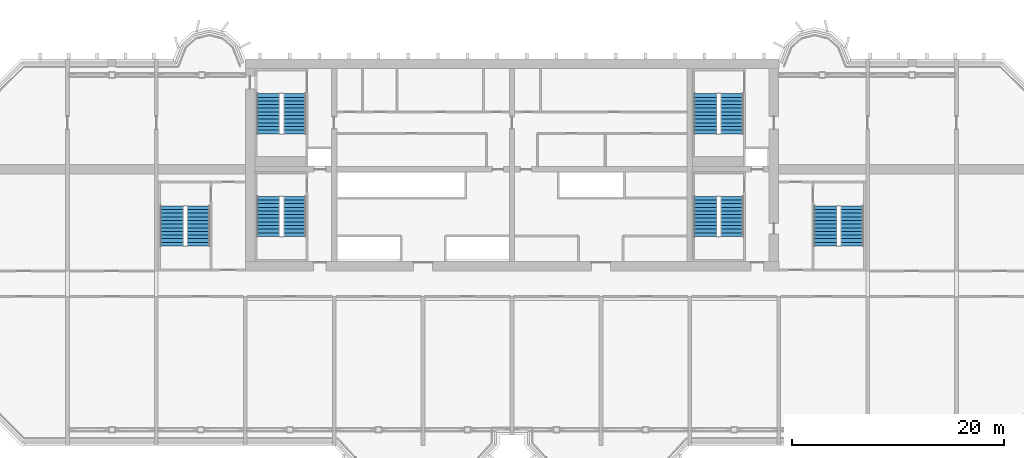
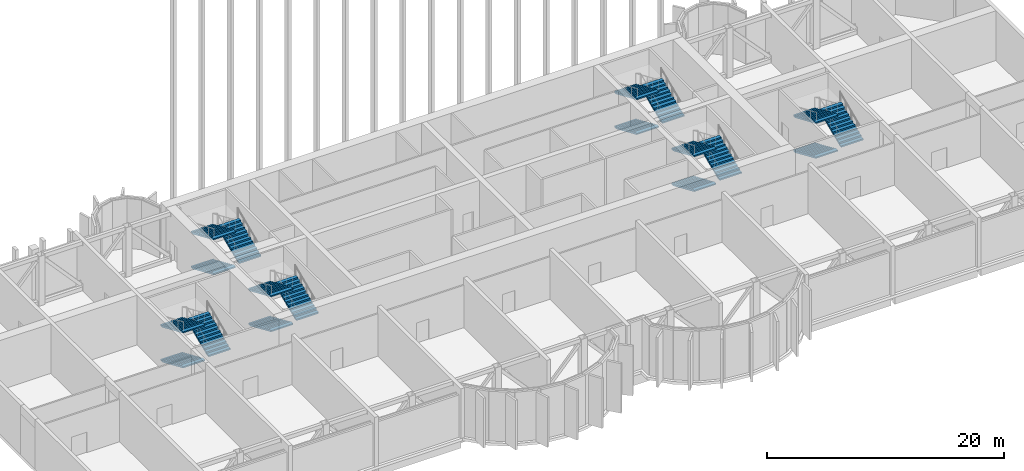
# One storey, part 9 of 17: 18 stair flights, 6 elements without a shape of their own.
"""IFC4 building model written with IfcOpenShell, lengths in metres."""

from ifc_helpers import new_model, si_unit, direction, frame, origin, place, context, subcontext, project, spatial, polyline, outline, extrude, source, transform, mapped, material, type_object, element, aggregate, save


model = new_model("IFC4")

# Units and contexts
model_context = context("Model", 3, precision=1e-05, world=origin(), true_north=direction((0.0, 1.0)))
body_context = subcontext(model_context, "Body", "Model", "MODEL_VIEW")
ifc_project = project(units=[si_unit("LENGTHUNIT", "METRE"), si_unit("AREAUNIT", "SQUARE_METRE"), si_unit("VOLUMEUNIT", "CUBIC_METRE"), si_unit("PLANEANGLEUNIT", "RADIAN"), si_unit("MASSUNIT", "GRAM", prefix="KILO")], contexts=[model_context])

# Site, building, storey
site_placement = place(None, origin())
site = spatial("IfcSite", under=ifc_project, at=site_placement, CompositionType="ELEMENT")
building_placement = place(site_placement, origin())
building = spatial("IfcBuilding", under=site, at=building_placement, Name="Vanashikhar Sky Hotel", CompositionType="ELEMENT")
storey_placement = place(building_placement, frame((0.0, 0.0, 140.800048828125)))
storey = spatial("IfcBuildingStorey", under=building, at=storey_placement, Name="L34", CompositionType="ELEMENT", Elevation=140.800048828125)

# Stair, stair flights
ifc_material = material(Name="Concrete M40", Category="concrete")
stair_type = type_object("IfcStairType", Name="Exit stair 2150", PredefinedType="DOUBLE_RETURN_STAIR", material=ifc_material)
stair_1_placement = place(storey_placement, origin())
stair_1 = element("IfcStair", 1, at=stair_1_placement, inside=storey, type_object=stair_type, Name="L34 Exit stair 1", PredefinedType="DOUBLE_RETURN_STAIR")
stair_flight_type = type_object("IfcStairFlightType", Name="Stair flight 2150", PredefinedType="STRAIGHT", material=ifc_material)
shared_shape = source(origin(), body_context, "Body", "SweptSolid", [
    extrude(outline(polyline([(0.0, 0.0), (0.0, 0.14990234375), (0.345458984375, 0.14990234375), (0.345458984375, 0.300048828125), (0.69091796875, 0.300048828125), (0.69091796875, 0.449951171875), (1.036376953125, 0.449951171875), (1.036376953125, 0.60009765625), (1.3818359375, 0.60009765625), (1.3818359375, 0.75), (1.727294921875, 0.75), (1.727294921875, 0.89990234375), (2.07275390625, 0.89990234375), (2.07275390625, 1.050048828125), (2.418212890625, 1.050048828125), (2.418212890625, 1.199951171875), (2.763671875, 1.199951171875), (2.763671875, 1.35009765625), (3.109130859375, 1.35009765625), (3.109130859375, 1.5), (3.45458984375, 1.5), (3.45458984375, 1.64990234375), (3.800048828125, 1.64990234375), (3.800048828125, 1.800048828125), (3.800048828125, 1.51904296875), (0.301513671875, 0.0), (0.0, 0.0)])), frame((0.0, 1.074951171875, 0.0), z_axis=(0.0, -1.0, 0.0), x_axis=(1.0, 0.0, 0.0)), (0.0, 0.0, 1.0), 2.14990234375),
])
stair_flight_1_placement = place(storey_placement, frame((27.375, 29.050048828125, 0.0), z_axis=(0.0, 0.0, 1.0), x_axis=(0.0, -1.0, 0.0)))
stair_flight_1 = element("IfcStairFlight", 2, at=stair_flight_1_placement, type_object=stair_flight_type, Name="ST-C1 flight 1", NumberOfRisers=12, NumberOfTreads=11, PredefinedType="STRAIGHT", RiserHeight=0.15, TreadLength=0.345454545, context=body_context, shape_type="MappedRepresentation", body=[
    mapped(shared_shape, transform((0.0, 0.0, 0.0), scale=1.0)),
])
stair_flight_2_placement = place(storey_placement, frame((29.875, 25.25, 1.800048828125), z_axis=(0.0, 0.0, 1.0), x_axis=(0.0, 1.0, 0.0)))
stair_flight_2 = element("IfcStairFlight", 3, at=stair_flight_2_placement, type_object=stair_flight_type, Name="ST-C1 flight 2", NumberOfRisers=12, NumberOfTreads=11, PredefinedType="STRAIGHT", RiserHeight=0.15, TreadLength=0.345454545, context=body_context, shape_type="MappedRepresentation", body=[
    mapped(shared_shape, transform((0.0, 0.0, 0.0), scale=1.0)),
])
stair_flight_3_placement = place(storey_placement, frame((27.375, 29.050048828125, 3.599853515625), z_axis=(0.0, 0.0, 1.0), x_axis=(0.0, -1.0, 0.0)))
stair_flight_3 = element("IfcStairFlight", 4, at=stair_flight_3_placement, type_object=stair_flight_type, Name="ST-C1 flight 3", NumberOfRisers=12, NumberOfTreads=11, PredefinedType="STRAIGHT", RiserHeight=0.15, TreadLength=0.345454545, context=body_context, shape_type="MappedRepresentation", body=[
    mapped(shared_shape, transform((0.0, 0.0, 0.0), scale=1.0)),
])
aggregate(stair_1, [stair_flight_1, stair_flight_2, stair_flight_3])

stair_2_placement = place(storey_placement, origin())
stair_2 = element("IfcStair", 5, at=stair_2_placement, inside=storey, type_object=stair_type, Name="L34 Exit stair 2", PredefinedType="DOUBLE_RETURN_STAIR")
stair_flight_4_placement = place(storey_placement, frame((68.675048828125, 29.050048828125, 0.0), z_axis=(0.0, 0.0, 1.0), x_axis=(0.0, -1.0, 0.0)))
stair_flight_4 = element("IfcStairFlight", 6, at=stair_flight_4_placement, type_object=stair_flight_type, Name="ST-C2 flight 1", NumberOfRisers=12, NumberOfTreads=11, PredefinedType="STRAIGHT", RiserHeight=0.15, TreadLength=0.345454545, context=body_context, shape_type="MappedRepresentation", body=[
    mapped(shared_shape, transform((0.0, 0.0, 0.0), scale=1.0)),
])
stair_flight_5_placement = place(storey_placement, frame((71.175048828125, 25.25, 1.800048828125), z_axis=(0.0, 0.0, 1.0), x_axis=(0.0, 1.0, 0.0)))
stair_flight_5 = element("IfcStairFlight", 7, at=stair_flight_5_placement, type_object=stair_flight_type, Name="ST-C2 flight 2", NumberOfRisers=12, NumberOfTreads=11, PredefinedType="STRAIGHT", RiserHeight=0.15, TreadLength=0.345454545, context=body_context, shape_type="MappedRepresentation", body=[
    mapped(shared_shape, transform((0.0, 0.0, 0.0), scale=1.0)),
])
stair_flight_6_placement = place(storey_placement, frame((68.675048828125, 29.050048828125, 3.599853515625), z_axis=(0.0, 0.0, 1.0), x_axis=(0.0, -1.0, 0.0)))
stair_flight_6 = element("IfcStairFlight", 8, at=stair_flight_6_placement, type_object=stair_flight_type, Name="ST-C2 flight 3", NumberOfRisers=12, NumberOfTreads=11, PredefinedType="STRAIGHT", RiserHeight=0.15, TreadLength=0.345454545, context=body_context, shape_type="MappedRepresentation", body=[
    mapped(shared_shape, transform((0.0, 0.0, 0.0), scale=1.0)),
])
aggregate(stair_2, [stair_flight_4, stair_flight_5, stair_flight_6])

stair_3_placement = place(storey_placement, origin())
stair_3 = element("IfcStair", 9, at=stair_3_placement, inside=storey, type_object=stair_type, Name="L34 Exit stair 3", PredefinedType="DOUBLE_RETURN_STAIR")
stair_flight_7_placement = place(storey_placement, frame((18.27490234375, 28.14990234375, 0.0), z_axis=(0.0, 0.0, 1.0), x_axis=(0.0, -1.0, 0.0)))
stair_flight_7 = element("IfcStairFlight", 10, at=stair_flight_7_placement, type_object=stair_flight_type, Name="ST-W flight 1", NumberOfRisers=12, NumberOfTreads=11, PredefinedType="STRAIGHT", RiserHeight=0.15, TreadLength=0.345454545, context=body_context, shape_type="MappedRepresentation", body=[
    mapped(shared_shape, transform((0.0, 0.0, 0.0), scale=1.0)),
])
stair_flight_8_placement = place(storey_placement, frame((20.77490234375, 24.35009765625, 1.800048828125), z_axis=(0.0, 0.0, 1.0), x_axis=(0.0, 1.0, 0.0)))
stair_flight_8 = element("IfcStairFlight", 11, at=stair_flight_8_placement, type_object=stair_flight_type, Name="ST-W flight 2", NumberOfRisers=12, NumberOfTreads=11, PredefinedType="STRAIGHT", RiserHeight=0.15, TreadLength=0.345454545, context=body_context, shape_type="MappedRepresentation", body=[
    mapped(shared_shape, transform((0.0, 0.0, 0.0), scale=1.0)),
])
stair_flight_9_placement = place(storey_placement, frame((18.27490234375, 28.14990234375, 3.599853515625), z_axis=(0.0, 0.0, 1.0), x_axis=(0.0, -1.0, 0.0)))
stair_flight_9 = element("IfcStairFlight", 12, at=stair_flight_9_placement, type_object=stair_flight_type, Name="ST-W flight 3", NumberOfRisers=12, NumberOfTreads=11, PredefinedType="STRAIGHT", RiserHeight=0.15, TreadLength=0.345454545, context=body_context, shape_type="MappedRepresentation", body=[
    mapped(shared_shape, transform((0.0, 0.0, 0.0), scale=1.0)),
])
aggregate(stair_3, [stair_flight_7, stair_flight_8, stair_flight_9])

stair_4_placement = place(storey_placement, origin())
stair_4 = element("IfcStair", 13, at=stair_4_placement, inside=storey, type_object=stair_type, Name="L34 Exit stair 4", PredefinedType="DOUBLE_RETURN_STAIR")
stair_flight_10_placement = place(storey_placement, frame((80.02490234375, 28.14990234375, 0.0), z_axis=(0.0, 0.0, 1.0), x_axis=(0.0, -1.0, 0.0)))
stair_flight_10 = element("IfcStairFlight", 14, at=stair_flight_10_placement, type_object=stair_flight_type, Name="ST-E flight 1", NumberOfRisers=12, NumberOfTreads=11, PredefinedType="STRAIGHT", RiserHeight=0.15, TreadLength=0.345454545, context=body_context, shape_type="MappedRepresentation", body=[
    mapped(shared_shape, transform((0.0, 0.0, 0.0), scale=1.0)),
])
stair_flight_11_placement = place(storey_placement, frame((82.52490234375, 24.35009765625, 1.800048828125), z_axis=(0.0, 0.0, 1.0), x_axis=(0.0, 1.0, 0.0)))
stair_flight_11 = element("IfcStairFlight", 15, at=stair_flight_11_placement, type_object=stair_flight_type, Name="ST-E flight 2", NumberOfRisers=12, NumberOfTreads=11, PredefinedType="STRAIGHT", RiserHeight=0.15, TreadLength=0.345454545, context=body_context, shape_type="MappedRepresentation", body=[
    mapped(shared_shape, transform((0.0, 0.0, 0.0), scale=1.0)),
])
stair_flight_12_placement = place(storey_placement, frame((80.02490234375, 28.14990234375, 3.599853515625), z_axis=(0.0, 0.0, 1.0), x_axis=(0.0, -1.0, 0.0)))
stair_flight_12 = element("IfcStairFlight", 16, at=stair_flight_12_placement, type_object=stair_flight_type, Name="ST-E flight 3", NumberOfRisers=12, NumberOfTreads=11, PredefinedType="STRAIGHT", RiserHeight=0.15, TreadLength=0.345454545, context=body_context, shape_type="MappedRepresentation", body=[
    mapped(shared_shape, transform((0.0, 0.0, 0.0), scale=1.0)),
])
aggregate(stair_4, [stair_flight_10, stair_flight_11, stair_flight_12])

stair_5_placement = place(storey_placement, origin())
stair_5 = element("IfcStair", 17, at=stair_5_placement, inside=storey, type_object=stair_type, Name="L34 Exit stair 5", PredefinedType="DOUBLE_RETURN_STAIR")
stair_flight_13_placement = place(storey_placement, frame((27.375, 38.75, 0.0), z_axis=(0.0, 0.0, 1.0), x_axis=(0.0, -1.0, 0.0)))
stair_flight_13 = element("IfcStairFlight", 18, at=stair_flight_13_placement, type_object=stair_flight_type, Name="ST-C3 flight 1", NumberOfRisers=12, NumberOfTreads=11, PredefinedType="STRAIGHT", RiserHeight=0.15, TreadLength=0.345454545, context=body_context, shape_type="MappedRepresentation", body=[
    mapped(shared_shape, transform((0.0, 0.0, 0.0), scale=1.0)),
])
stair_flight_14_placement = place(storey_placement, frame((29.875, 34.949951171875, 1.800048828125), z_axis=(0.0, 0.0, 1.0), x_axis=(0.0, 1.0, 0.0)))
stair_flight_14 = element("IfcStairFlight", 19, at=stair_flight_14_placement, type_object=stair_flight_type, Name="ST-C3 flight 2", NumberOfRisers=12, NumberOfTreads=11, PredefinedType="STRAIGHT", RiserHeight=0.15, TreadLength=0.345454545, context=body_context, shape_type="MappedRepresentation", body=[
    mapped(shared_shape, transform((0.0, 0.0, 0.0), scale=1.0)),
])
stair_flight_15_placement = place(storey_placement, frame((27.375, 38.75, 3.599853515625), z_axis=(0.0, 0.0, 1.0), x_axis=(0.0, -1.0, 0.0)))
stair_flight_15 = element("IfcStairFlight", 20, at=stair_flight_15_placement, type_object=stair_flight_type, Name="ST-C3 flight 3", NumberOfRisers=12, NumberOfTreads=11, PredefinedType="STRAIGHT", RiserHeight=0.15, TreadLength=0.345454545, context=body_context, shape_type="MappedRepresentation", body=[
    mapped(shared_shape, transform((0.0, 0.0, 0.0), scale=1.0)),
])
aggregate(stair_5, [stair_flight_13, stair_flight_14, stair_flight_15])

stair_6_placement = place(storey_placement, origin())
stair_6 = element("IfcStair", 21, at=stair_6_placement, inside=storey, type_object=stair_type, Name="L34 Exit stair 6", PredefinedType="DOUBLE_RETURN_STAIR")
stair_flight_16_placement = place(storey_placement, frame((68.675048828125, 38.75, 0.0), z_axis=(0.0, 0.0, 1.0), x_axis=(0.0, -1.0, 0.0)))
stair_flight_16 = element("IfcStairFlight", 22, at=stair_flight_16_placement, type_object=stair_flight_type, Name="ST-C4 flight 1", NumberOfRisers=12, NumberOfTreads=11, PredefinedType="STRAIGHT", RiserHeight=0.15, TreadLength=0.345454545, context=body_context, shape_type="MappedRepresentation", body=[
    mapped(shared_shape, transform((0.0, 0.0, 0.0), scale=1.0)),
])
stair_flight_17_placement = place(storey_placement, frame((71.175048828125, 34.949951171875, 1.800048828125), z_axis=(0.0, 0.0, 1.0), x_axis=(0.0, 1.0, 0.0)))
stair_flight_17 = element("IfcStairFlight", 23, at=stair_flight_17_placement, type_object=stair_flight_type, Name="ST-C4 flight 2", NumberOfRisers=12, NumberOfTreads=11, PredefinedType="STRAIGHT", RiserHeight=0.15, TreadLength=0.345454545, context=body_context, shape_type="MappedRepresentation", body=[
    mapped(shared_shape, transform((0.0, 0.0, 0.0), scale=1.0)),
])
stair_flight_18_placement = place(storey_placement, frame((68.675048828125, 38.75, 3.599853515625), z_axis=(0.0, 0.0, 1.0), x_axis=(0.0, -1.0, 0.0)))
stair_flight_18 = element("IfcStairFlight", 24, at=stair_flight_18_placement, type_object=stair_flight_type, Name="ST-C4 flight 3", NumberOfRisers=12, NumberOfTreads=11, PredefinedType="STRAIGHT", RiserHeight=0.15, TreadLength=0.345454545, context=body_context, shape_type="MappedRepresentation", body=[
    mapped(shared_shape, transform((0.0, 0.0, 0.0), scale=1.0)),
])
aggregate(stair_6, [stair_flight_16, stair_flight_17, stair_flight_18])

save(model, "model.ifc")
